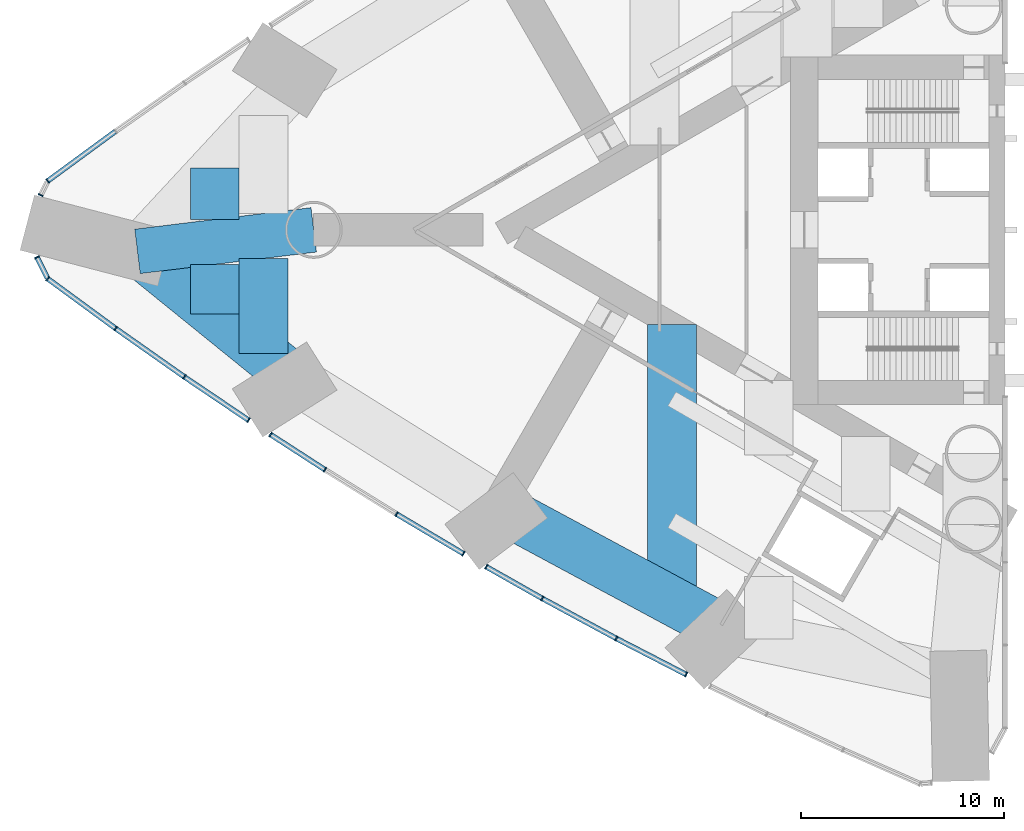
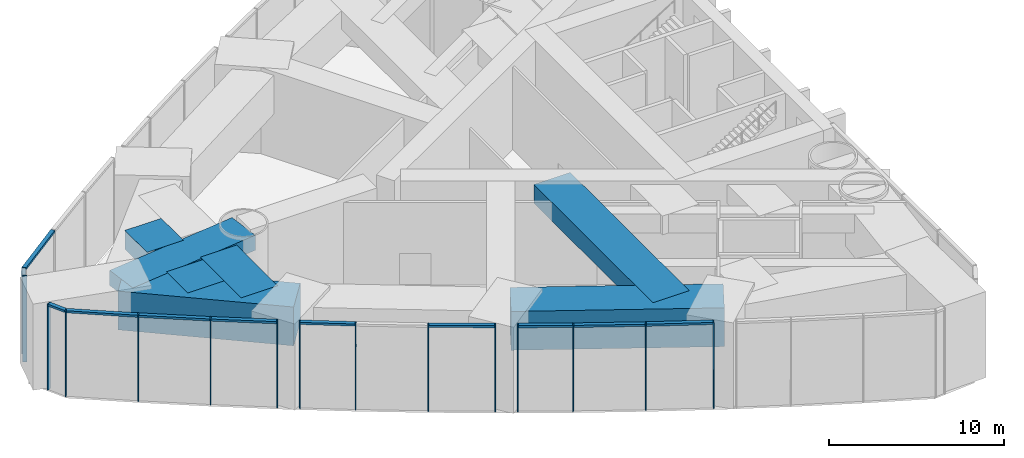
# One storey, part 2 of 18: 25 members, 7 beams, 4 elements without a shape of their own.
"""IFC4 building model written with IfcOpenShell, lengths in metres."""

import ifcopenshell
import ifcopenshell.guid

model = None  # the IFC model being written
_history = None  # IfcOwnerHistory: only IFC2X3 demands one
_inside = {}  # id of a spatial element -> (the spatial element, [elements in it])
_under = {}  # id of a project, library or spatial element -> (it, [spatial elements below it])
_declared = {}  # id of a project -> (the project, [libraries it declares])
_typed = {}  # id of a type object -> (the type object, [elements of that type])
_made_of = {}  # id of a material, layer set ... -> (it, [elements and type objects made of it])


def new_model(schema):
    """Start an empty IFC model of exactly this schema.

    Asked for "IFC4X3", IfcOpenShell would pick the latest addendum, in which some entities
    have other attributes; the version numbers below select the first issue.
    IFC2X3 requires an IfcOwnerHistory on every rooted entity: one is made here for all.
    """
    global model, _history
    if schema == "IFC4X3":
        model = ifcopenshell.file(schema_version=(4, 3, 0, 0))
    else:
        model = ifcopenshell.file(schema=schema)
    _inside.clear()
    _under.clear()
    _declared.clear()
    _typed.clear()
    _made_of.clear()
    _history = None
    if model.schema == "IFC2X3":
        org = make("IfcOrganization", Name="unknown")
        user = make(
            "IfcPersonAndOrganization",
            ThePerson=make("IfcPerson", FamilyName="unknown"),
            TheOrganization=org,
        )
        app = make(
            "IfcApplication",
            ApplicationDeveloper=org,
            Version="unknown",
            ApplicationFullName="unknown",
            ApplicationIdentifier="unknown",
        )
        _history = make(
            "IfcOwnerHistory",
            OwningUser=user,
            OwningApplication=app,
            ChangeAction="ADDED",
            CreationDate=0,
        )
    return model


def make(cls, **values):
    """One entity of the class cls with the attributes given. An attribute that is None is left unset."""
    return model.create_entity(
        cls, **{name: value for name, value in values.items() if value is not None}
    )


def rooted(cls, **values):
    """An entity with a GlobalId (a new one), such as an element, a storey or a relation."""
    return make(cls, GlobalId=ifcopenshell.guid.new(), OwnerHistory=_history, **values)


def si_unit(unit_type, name, prefix=None):
    """IfcSIUnit, for example si_unit("LENGTHUNIT", "METRE", prefix="MILLI")."""
    return make("IfcSIUnit", UnitType=unit_type, Prefix=prefix, Name=name)


def assignment(units):
    """IfcUnitAssignment: the units of a project."""
    return None if units is None else make("IfcUnitAssignment", Units=units)


def point(xyz):
    """IfcCartesianPoint."""
    return None if xyz is None else make("IfcCartesianPoint", Coordinates=xyz)


def direction(xyz):
    """IfcDirection."""
    return None if xyz is None else make("IfcDirection", DirectionRatios=xyz)


def frame(location, z_axis=None, x_axis=None):
    """IfcAxis2Placement3D, a coordinate frame: its origin and axes. An axis left out is left unset."""
    return make(
        "IfcAxis2Placement3D",
        Location=point(location),
        Axis=direction(z_axis),
        RefDirection=direction(x_axis),
    )


def frame_2d(location, x_axis=None):
    """IfcAxis2Placement2D, a coordinate frame in the plane: its origin and x axis."""
    return make(
        "IfcAxis2Placement2D", Location=point(location), RefDirection=direction(x_axis)
    )


def origin():
    """The frame at (0, 0, 0) with its axes left unset."""
    return frame((0.0, 0.0, 0.0))


def origin_2d():
    """The frame at (0, 0) in the plane with its x axis left unset."""
    return frame_2d((0.0, 0.0))


def place(relative_to, where):
    """IfcLocalPlacement: puts the frame where relative to a parent placement (None: the world)."""
    return make(
        "IfcLocalPlacement", PlacementRelTo=relative_to, RelativePlacement=where
    )


def context(
    kind, dimensions, precision=None, world=None, true_north=None, identifier=None
):
    """IfcGeometricRepresentationContext, for example the 3D "Model" context."""
    return make(
        "IfcGeometricRepresentationContext",
        ContextIdentifier=identifier,
        ContextType=kind,
        CoordinateSpaceDimension=dimensions,
        Precision=precision,
        WorldCoordinateSystem=world,
        TrueNorth=true_north,
    )


def subcontext(parent, identifier, kind, view, scale=None):
    """IfcGeometricRepresentationSubContext, for example "Body" below "Model"."""
    return make(
        "IfcGeometricRepresentationSubContext",
        ContextIdentifier=identifier,
        ContextType=kind,
        ParentContext=parent,
        TargetScale=scale,
        TargetView=view,
    )


def project(units=None, contexts=None):
    """IfcProject with its units and contexts."""
    return rooted(
        "IfcProject",
        Name="project",
        RepresentationContexts=contexts,
        UnitsInContext=assignment(units),
    )


def spatial(cls, under=None, at=None, **own):
    """A site, building, storey or space (cls), placed at a placement, below another one or the project."""
    s = rooted(cls, ObjectPlacement=at, **own)
    if under is not None:
        _under.setdefault(under.id(), (under, []))[1].append(s)
    return s


def profile(cls, at=None, kind="AREA", **sizes):
    """A parametric profile (cls). Its sizes go by their IFC names, for example OverallWidth=200.0."""
    return make(cls, ProfileType=kind, Position=at, **sizes)


def rectangle(**sizes):
    """IfcRectangleProfileDef."""
    return profile("IfcRectangleProfileDef", **sizes)


def extrude(swept, where, along, depth):
    """IfcExtrudedAreaSolid: the profile swept, set in the frame where, extruded along a direction by depth."""
    return make(
        "IfcExtrudedAreaSolid",
        SweptArea=swept,
        Position=where,
        ExtrudedDirection=direction(along),
        Depth=depth,
    )


def shape(context_of_items, identifier, shape_type, items):
    """IfcShapeRepresentation: the items that make up one representation, for example the "Body"."""
    return make(
        "IfcShapeRepresentation",
        ContextOfItems=context_of_items,
        RepresentationIdentifier=identifier,
        RepresentationType=shape_type,
        Items=items,
    )


def material(Name=None, Category=None):
    """IfcMaterial."""
    return make("IfcMaterial", Name=Name, Category=Category)


def material_profile(
    of_material, cross_section, Name=None, Category=None, Priority=None
):
    """IfcMaterialProfile: a cross section and its material."""
    return make(
        "IfcMaterialProfile",
        Name=Name,
        Material=of_material,
        Profile=cross_section,
        Priority=Priority,
        Category=Category,
    )


def profile_set(profiles, Name=None, composite=None):
    """IfcMaterialProfileSet."""
    return make(
        "IfcMaterialProfileSet",
        Name=Name,
        MaterialProfiles=profiles,
        CompositeProfile=composite,
    )


def made_of(thing, what):
    """Note that an element or type object is made of a material, layer set ...; save() writes the relation."""
    if what is not None:
        _made_of.setdefault(what.id(), (what, []))[1].append(thing)
    return thing


def type_object(cls, material=None, **own):
    """A type object (cls), such as IfcWallType, which elements share."""
    return made_of(rooted(cls, **own), material)


def element(
    cls,
    number,
    at=None,
    inside=None,
    cuts=None,
    type_object=None,
    material=None,
    context=None,
    identifier="Body",
    shape_type=None,
    held_by="IfcProductDefinitionShape",
    body=None,
    shapes=None,
    **own,
):
    """One element of the class cls, such as IfcWall. Its Tag is "e" and its number.

    at: its placement. inside: the storey or other place that contains it. cuts: it is an
    opening in that element (IfcRelVoidsElement). A single representation is given by context,
    identifier, shape_type and body (its items); several are given by shapes. held_by: the class
    of the entity that holds the representations. save() writes the other relations.
    """
    e = rooted(cls, Tag="e%d" % number, ObjectPlacement=at, **own)
    if body is not None:
        shapes = [shape(context, identifier, shape_type, body)]
    if shapes is not None:
        e.Representation = make(held_by, Representations=shapes)
    if inside is not None:
        _inside.setdefault(inside.id(), (inside, []))[1].append(e)
    if cuts is not None:
        rooted(
            "IfcRelVoidsElement", RelatingBuildingElement=cuts, RelatedOpeningElement=e
        )
    if type_object is not None:
        _typed.setdefault(type_object.id(), (type_object, []))[1].append(e)
    return made_of(e, material)


def aggregate(whole, parts):
    """IfcRelAggregates: a whole, such as a stair, and the parts it consists of."""
    return rooted("IfcRelAggregates", RelatingObject=whole, RelatedObjects=parts)


def save(model, path):
    """Write the relations noted so far, then the file.

    IfcRelAggregates (storeys below a building ...), IfcRelContainedInSpatialStructure (elements
    in a storey), IfcRelDefinesByType, IfcRelAssociatesMaterial and IfcRelDeclares: one each for
    every whole, place, type object, material and project.
    """
    for whole, parts in _under.values():
        aggregate(whole, parts)
    for where, things in _inside.values():
        rooted(
            "IfcRelContainedInSpatialStructure",
            RelatedElements=things,
            RelatingStructure=where,
        )
    for kind, things in _typed.values():
        rooted("IfcRelDefinesByType", RelatedObjects=things, RelatingType=kind)
    for what, things in _made_of.values():
        rooted("IfcRelAssociatesMaterial", RelatedObjects=things, RelatingMaterial=what)
    for by, libraries in _declared.values():
        rooted("IfcRelDeclares", RelatingContext=by, RelatedDefinitions=libraries)
    model.write(path)


model = new_model("IFC4")

# Units and contexts
model_context = context("Model", 3, precision=1e-05, world=origin(), true_north=direction((0.0, 1.0)))
body_context = subcontext(model_context, "Body", "Model", "MODEL_VIEW")
ifc_project = project(units=[si_unit("LENGTHUNIT", "METRE"), si_unit("AREAUNIT", "SQUARE_METRE"), si_unit("VOLUMEUNIT", "CUBIC_METRE"), si_unit("PLANEANGLEUNIT", "RADIAN"), si_unit("MASSUNIT", "GRAM", prefix="KILO")], contexts=[model_context])

# Site, building, storey
site_placement = place(None, origin())
site = spatial("IfcSite", under=ifc_project, at=site_placement, CompositionType="ELEMENT")
building_placement = place(site_placement, origin())
building = spatial("IfcBuilding", under=site, at=building_placement, Name="Lancet Gate Hotel", CompositionType="ELEMENT")
storey_placement = place(building_placement, frame((0.0, 0.0, 81.0)))
storey = spatial("IfcBuildingStorey", under=building, at=storey_placement, Name="L21", CompositionType="ELEMENT", Elevation=81.0)

# Curtain wall, members
ifc_material_1 = material(Name="Aluminium curtain wall", Category="aluminium")
curtain_wall_type = type_object("IfcCurtainWallType", Name="Refuge storey louvred curtain wall", PredefinedType="USERDEFINED", material=ifc_material_1)
curtain_wall_1_placement = place(storey_placement, origin())
curtain_wall_1 = element("IfcCurtainWall", 1, at=curtain_wall_1_placement, inside=storey, type_object=curtain_wall_type, Name="T1 L21 curtain wall 5", ObjectType="LANTERN GLAZING", PredefinedType="USERDEFINED")
ifc_material_2 = material(Name="Aluminium mullion", Category="aluminium")
ifc_material_profile_1 = material_profile(ifc_material_2, rectangle(XDim=0.06494140625, YDim=0.25, at=origin_2d()), Name="MULLION 65x250")
ifc_profile_set_1 = profile_set([ifc_material_profile_1], Name="Aluminium mullion")
member_type_1 = type_object("IfcMemberType", Name="Aluminium mullion 65x250", PredefinedType="MULLION", material=ifc_profile_set_1)
member_1_placement = place(storey_placement, frame((-74.5830078125, 2.401611328125, 0.0), z_axis=(0.0, 0.0, 1.0), x_axis=(-0.76102176567, -0.64872634614, 0.0)))
member_1 = element("IfcMember", 2, at=member_1_placement, type_object=member_type_1, Name="T1 L21 curtain wall 5 mullion 4", PredefinedType="MULLION", context=body_context, shape_type="SweptSolid", body=[
    extrude(rectangle(XDim=0.06494140625, YDim=0.25, at=origin_2d()), origin(), (0.0, 0.0, 1.0), 6.0),
])
member_2_placement = place(storey_placement, frame((-74.93017578125, 1.708251953125, 0.0), z_axis=(0.0, 0.0, 1.0), x_axis=(-0.447628324726, -0.89421970617, 0.0)))
member_2 = element("IfcMember", 3, at=member_2_placement, type_object=member_type_1, Name="T1 L21 curtain wall 5 mullion 5", PredefinedType="MULLION", context=body_context, shape_type="SweptSolid", body=[
    extrude(rectangle(XDim=0.06494140625, YDim=0.25, at=origin_2d()), origin(), (0.0, 0.0, 1.0), 6.0),
])

curtain_wall_2_placement = place(storey_placement, origin())
curtain_wall_2 = element("IfcCurtainWall", 4, at=curtain_wall_2_placement, inside=storey, type_object=curtain_wall_type, Name="T1 L21 curtain wall 6", ObjectType="LANTERN GLAZING", PredefinedType="USERDEFINED")
member_3_placement = place(storey_placement, frame((-75.109375, -1.349853515625, 0.0), z_axis=(0.0, 0.0, 1.0), x_axis=(0.447628324726, -0.89421970617, 0.0)))
member_3 = element("IfcMember", 5, at=member_3_placement, type_object=member_type_1, Name="T1 L21 curtain wall 6 mullion 1", PredefinedType="MULLION", context=body_context, shape_type="SweptSolid", body=[
    extrude(rectangle(XDim=0.06494140625, YDim=0.25, at=origin_2d()), origin(), (0.0, 0.0, 1.0), 6.0),
])
member_4_placement = place(storey_placement, frame((-74.5830078125, -2.401611328125, 0.0), z_axis=(0.0, 0.0, 1.0), x_axis=(0.741231716249, -0.671249240466, 0.0)))
member_4 = element("IfcMember", 6, at=member_4_placement, type_object=member_type_1, Name="T1 L21 curtain wall 6 mullion 2", PredefinedType="MULLION", context=body_context, shape_type="SweptSolid", body=[
    extrude(rectangle(XDim=0.06494140625, YDim=0.25, at=origin_2d()), origin(), (0.0, 0.0, 1.0), 6.0),
])
member_5_placement = place(storey_placement, frame((-71.244384765625, -4.85009765625, 0.0), z_axis=(0.0, 0.0, 1.0), x_axis=(0.812146623168, -0.583453393578, 0.0)))
member_5 = element("IfcMember", 7, at=member_5_placement, type_object=member_type_1, Name="T1 L21 curtain wall 6 mullion 3", PredefinedType="MULLION", context=body_context, shape_type="SweptSolid", body=[
    extrude(rectangle(XDim=0.06494140625, YDim=0.25, at=origin_2d()), origin(), (0.0, 0.0, 1.0), 6.0),
])
member_6_placement = place(storey_placement, frame((-67.858154296875, -7.232666015625, 0.0), z_axis=(0.0, 0.0, 1.0), x_axis=(0.823190540814, -0.567765209848, 0.0)))
member_6 = element("IfcMember", 8, at=member_6_placement, type_object=member_type_1, Name="T1 L21 curtain wall 6 mullion 4", PredefinedType="MULLION", context=body_context, shape_type="SweptSolid", body=[
    extrude(rectangle(XDim=0.06494140625, YDim=0.25, at=origin_2d()), origin(), (0.0, 0.0, 1.0), 6.0),
])
member_7_placement = place(storey_placement, frame((-64.7041015625, -9.361083984375, 0.0), z_axis=(0.0, 0.0, 1.0), x_axis=(0.828946067803, -0.559328540907, 0.0)))
member_7 = element("IfcMember", 9, at=member_7_placement, type_object=member_type_1, Name="T1 L21 curtain wall 6 mullion 5", PredefinedType="MULLION", context=body_context, shape_type="SweptSolid", body=[
    extrude(rectangle(XDim=0.06494140625, YDim=0.25, at=origin_2d()), origin(), (0.0, 0.0, 1.0), 6.0),
])

curtain_wall_3_placement = place(storey_placement, origin())
curtain_wall_3 = element("IfcCurtainWall", 10, at=curtain_wall_3_placement, inside=storey, type_object=curtain_wall_type, Name="T1 L21 curtain wall 7", ObjectType="LANTERN GLAZING", PredefinedType="USERDEFINED")
member_8_placement = place(storey_placement, frame((-63.62646484375, -10.065673828125, 0.0), z_axis=(0.0, 0.0, 1.0), x_axis=(0.839748568448, -0.54297545229, 0.0)))
member_8 = element("IfcMember", 11, at=member_8_placement, type_object=member_type_1, Name="T1 L21 curtain wall 7 mullion 1", PredefinedType="MULLION", context=body_context, shape_type="SweptSolid", body=[
    extrude(rectangle(XDim=0.06494140625, YDim=0.25, at=origin_2d()), origin(), (0.0, 0.0, 1.0), 6.0),
])
member_9_placement = place(storey_placement, frame((-60.949462890625, -11.796630859375, 0.0), z_axis=(0.0, 0.0, 1.0), x_axis=(0.845709326915, -0.533643827256, 0.0)))
member_9 = element("IfcMember", 12, at=member_9_placement, type_object=member_type_1, Name="T1 L21 curtain wall 7 mullion 2", PredefinedType="MULLION", context=body_context, shape_type="SweptSolid", body=[
    extrude(rectangle(XDim=0.06494140625, YDim=0.25, at=origin_2d()), origin(), (0.0, 0.0, 1.0), 6.0),
])
member_10_placement = place(storey_placement, frame((-57.42919921875, -13.97607421875, 0.0), z_axis=(0.0, 0.0, 1.0), x_axis=(0.855144689417, -0.51838939048, 0.0)))
member_10 = element("IfcMember", 13, at=member_10_placement, type_object=member_type_1, Name="T1 L21 curtain wall 7 mullion 3", PredefinedType="MULLION", context=body_context, shape_type="SweptSolid", body=[
    extrude(rectangle(XDim=0.06494140625, YDim=0.25, at=origin_2d()), origin(), (0.0, 0.0, 1.0), 6.0),
])
member_11_placement = place(storey_placement, frame((-54.138916015625, -15.925048828125, 0.0), z_axis=(0.0, 0.0, 1.0), x_axis=(0.860381857795, -0.509649937484, 0.0)))
member_11 = element("IfcMember", 14, at=member_11_placement, type_object=member_type_1, Name="T1 L21 curtain wall 7 mullion 4", PredefinedType="MULLION", context=body_context, shape_type="SweptSolid", body=[
    extrude(rectangle(XDim=0.06494140625, YDim=0.25, at=origin_2d()), origin(), (0.0, 0.0, 1.0), 6.0),
])

curtain_wall_4_placement = place(storey_placement, origin())
curtain_wall_4 = element("IfcCurtainWall", 15, at=curtain_wall_4_placement, inside=storey, type_object=curtain_wall_type, Name="T1 L21 curtain wall 8", ObjectType="LANTERN GLAZING", PredefinedType="USERDEFINED")
member_12_placement = place(storey_placement, frame((-53.0166015625, -16.567626953125, 0.0), z_axis=(0.0, 0.0, 1.0), x_axis=(0.870204720871, -0.492690312238, 0.0)))
member_12 = element("IfcMember", 16, at=member_12_placement, type_object=member_type_1, Name="T1 L21 curtain wall 8 mullion 1", PredefinedType="MULLION", context=body_context, shape_type="SweptSolid", body=[
    extrude(rectangle(XDim=0.06494140625, YDim=0.25, at=origin_2d()), origin(), (0.0, 0.0, 1.0), 6.0),
])
member_13_placement = place(storey_placement, frame((-50.26416015625, -18.1259765625, 0.0), z_axis=(0.0, 0.0, 1.0), x_axis=(0.875625106041, -0.482991380534, 0.0)))
member_13 = element("IfcMember", 17, at=member_13_placement, type_object=member_type_1, Name="T1 L21 curtain wall 8 mullion 2", PredefinedType="MULLION", context=body_context, shape_type="SweptSolid", body=[
    extrude(rectangle(XDim=0.06494140625, YDim=0.25, at=origin_2d()), origin(), (0.0, 0.0, 1.0), 6.0),
])
member_14_placement = place(storey_placement, frame((-46.6220703125, -20.094970703125, 0.0), z_axis=(0.0, 0.0, 1.0), x_axis=(0.884152609717, -0.467198204974, 0.0)))
member_14 = element("IfcMember", 18, at=member_14_placement, type_object=member_type_1, Name="T1 L21 curtain wall 8 mullion 3", PredefinedType="MULLION", context=body_context, shape_type="SweptSolid", body=[
    extrude(rectangle(XDim=0.06494140625, YDim=0.25, at=origin_2d()), origin(), (0.0, 0.0, 1.0), 6.0),
])
member_15_placement = place(storey_placement, frame((-43.188232421875, -21.864990234375, 0.0), z_axis=(0.0, 0.0, 1.0), x_axis=(0.888844019644, -0.458209895946, 0.0)))
member_15 = element("IfcMember", 19, at=member_15_placement, type_object=member_type_1, Name="T1 L21 curtain wall 8 mullion 4", PredefinedType="MULLION", context=body_context, shape_type="SweptSolid", body=[
    extrude(rectangle(XDim=0.06494140625, YDim=0.25, at=origin_2d()), origin(), (0.0, 0.0, 1.0), 6.0),
])

# Member
ifc_material_3 = material(Name="Aluminium transom", Category="aluminium")
ifc_material_profile_2 = material_profile(ifc_material_3, rectangle(XDim=0.25, YDim=0.14990234375, at=origin_2d()), Name="TRANSOM 250x150")
ifc_profile_set_2 = profile_set([ifc_material_profile_2], Name="Aluminium transom")
member_type_2 = type_object("IfcMemberType", Name="Aluminium transom 250x150", PredefinedType="USERDEFINED", material=ifc_profile_set_2)
member_16_placement = place(storey_placement, frame((-71.2705078125, 4.8310546875, 5.925048828125), z_axis=(-0.806366902144, -0.59141560609, 0.0), x_axis=(0.59141560609, -0.806366902144, 0.0)))
member_16 = element("IfcMember", 20, at=member_16_placement, type_object=member_type_2, Name="T1 L21 curtain wall 5 transom 3", ObjectType="TRANSOM", PredefinedType="USERDEFINED", context=body_context, shape_type="SweptSolid", body=[
    extrude(rectangle(XDim=0.25, YDim=0.14990234375, at=origin_2d()), origin(), (0.0, 0.0, 1.0), 4.0751953125),
])

aggregate(curtain_wall_1, [member_1, member_2, member_16])

member_17_placement = place(storey_placement, frame((-75.094970703125, -1.37890625, 5.925048828125), z_axis=(0.447740788594, -0.894163400185, 0.0), x_axis=(0.894163400185, 0.447740788594, 0.0)))
member_17 = element("IfcMember", 21, at=member_17_placement, type_object=member_type_2, Name="T1 L21 curtain wall 6 transom 1", ObjectType="TRANSOM", PredefinedType="USERDEFINED", context=body_context, shape_type="SweptSolid", body=[
    extrude(rectangle(XDim=0.25, YDim=0.14990234375, at=origin_2d()), origin(), (0.0, 0.0, 1.0), 1.111328125),
])

member_18_placement = place(storey_placement, frame((-74.556640625, -2.4208984375, 5.925048828125), z_axis=(0.806366902144, -0.59141560609, 0.0), x_axis=(0.59141560609, 0.806366902144, 0.0)))
member_18 = element("IfcMember", 22, at=member_18_placement, type_object=member_type_2, Name="T1 L21 curtain wall 6 transom 2", ObjectType="TRANSOM", PredefinedType="USERDEFINED", context=body_context, shape_type="SweptSolid", body=[
    extrude(rectangle(XDim=0.25, YDim=0.14990234375, at=origin_2d()), origin(), (0.0, 0.0, 1.0), 4.0751953125),
])

member_19_placement = place(storey_placement, frame((-71.2177734375, -4.868896484375, 5.925048828125), z_axis=(0.817833568345, -0.57545482402, 0.0), x_axis=(0.57545482402, 0.817833568345, 0.0)))
member_19 = element("IfcMember", 23, at=member_19_placement, type_object=member_type_2, Name="T1 L21 curtain wall 6 transom 3", ObjectType="TRANSOM", PredefinedType="USERDEFINED", context=body_context, shape_type="SweptSolid", body=[
    extrude(rectangle(XDim=0.25, YDim=0.14990234375, at=origin_2d()), origin(), (0.0, 0.0, 1.0), 4.075439453125),
])

member_20_placement = place(storey_placement, frame((-67.831298828125, -7.2509765625, 5.925048828125), z_axis=(0.828934175642, -0.559346165137, 0.0), x_axis=(0.559346165137, 0.828934175642, 0.0)))
member_20 = element("IfcMember", 24, at=member_20_placement, type_object=member_type_2, Name="T1 L21 curtain wall 6 transom 4", ObjectType="TRANSOM", PredefinedType="USERDEFINED", context=body_context, shape_type="SweptSolid", body=[
    extrude(rectangle(XDim=0.25, YDim=0.14990234375, at=origin_2d()), origin(), (0.0, 0.0, 1.0), 3.740234375),
])

aggregate(curtain_wall_2, [member_3, member_4, member_5, member_6, member_7, member_17, member_18, member_19, member_20])

member_21_placement = place(storey_placement, frame((-63.599365234375, -10.083251953125, 5.925048828125), z_axis=(0.839737903766, -0.542991945593, 0.0), x_axis=(0.542991945593, 0.839737903766, 0.0)))
member_21 = element("IfcMember", 25, at=member_21_placement, type_object=member_type_2, Name="T1 L21 curtain wall 7 transom 1", ObjectType="TRANSOM", PredefinedType="USERDEFINED", context=body_context, shape_type="SweptSolid", body=[
    extrude(rectangle(XDim=0.25, YDim=0.14990234375, at=origin_2d()), origin(), (0.0, 0.0, 1.0), 3.123046875),
])

member_22_placement = place(storey_placement, frame((-57.4013671875, -13.99267578125, 5.925048828125), z_axis=(0.860395955611, -0.509626137053, 0.0), x_axis=(0.509626137053, 0.860395955611, 0.0)))
member_22 = element("IfcMember", 26, at=member_22_placement, type_object=member_type_2, Name="T1 L21 curtain wall 7 transom 3", ObjectType="TRANSOM", PredefinedType="USERDEFINED", context=body_context, shape_type="SweptSolid", body=[
    extrude(rectangle(XDim=0.25, YDim=0.14990234375, at=origin_2d()), origin(), (0.0, 0.0, 1.0), 3.75927734375),
])

aggregate(curtain_wall_3, [member_8, member_9, member_10, member_11, member_21, member_22])

member_23_placement = place(storey_placement, frame((-52.98828125, -16.583740234375, 5.925048828125), z_axis=(0.870195654923, -0.49270632445, 0.0), x_axis=(0.49270632445, 0.870195654923, 0.0)))
member_23 = element("IfcMember", 27, at=member_23_placement, type_object=member_type_2, Name="T1 L21 curtain wall 8 transom 1", ObjectType="TRANSOM", PredefinedType="USERDEFINED", context=body_context, shape_type="SweptSolid", body=[
    extrude(rectangle(XDim=0.25, YDim=0.14990234375, at=origin_2d()), origin(), (0.0, 0.0, 1.0), 3.097900390625),
])

member_24_placement = place(storey_placement, frame((-50.235595703125, -18.1416015625, 5.925048828125), z_axis=(0.87971396408, -0.475503250675, 0.0), x_axis=(0.475503250675, 0.87971396408, 0.0)))
member_24 = element("IfcMember", 28, at=member_24_placement, type_object=member_type_2, Name="T1 L21 curtain wall 8 transom 2", ObjectType="TRANSOM", PredefinedType="USERDEFINED", context=body_context, shape_type="SweptSolid", body=[
    extrude(rectangle(XDim=0.25, YDim=0.14990234375, at=origin_2d()), origin(), (0.0, 0.0, 1.0), 4.0751953125),
])

member_25_placement = place(storey_placement, frame((-46.593017578125, -20.10986328125, 5.925048828125), z_axis=(0.888843667926, -0.458210578215, 0.0), x_axis=(0.458210578215, 0.888843667926, 0.0)))
member_25 = element("IfcMember", 29, at=member_25_placement, type_object=member_type_2, Name="T1 L21 curtain wall 8 transom 3", ObjectType="TRANSOM", PredefinedType="USERDEFINED", context=body_context, shape_type="SweptSolid", body=[
    extrude(rectangle(XDim=0.25, YDim=0.14990234375, at=origin_2d()), origin(), (0.0, 0.0, 1.0), 3.7978515625),
])

aggregate(curtain_wall_4, [member_12, member_13, member_14, member_15, member_23, member_24, member_25])

# Beams
ifc_material_4 = material(Name="Concrete C50/60", Category="concrete")
ifc_material_profile_3 = material_profile(ifc_material_4, rectangle(XDim=2.39990234375, YDim=1.300048828125, at=origin_2d()), Name="RC 2400x1300")
ifc_profile_set_3 = profile_set([ifc_material_profile_3], Name="Concrete C50/60")
beam_type_1 = type_object("IfcBeamType", Name="Floor beam RC 2400x1300", PredefinedType="BEAM", material=ifc_profile_set_3)
beam_1_placement = place(storey_placement, frame((-43.891357421875, -4.663330078125, 5.10009765625), z_axis=(0.0, -1.0, 0.0), x_axis=(1.0, 0.0, 0.0)))
element("IfcBeam", 30, at=beam_1_placement, inside=storey, type_object=beam_type_1, Name="T1 floor beam F08N L21", PredefinedType="BEAM", context=body_context, shape_type="SweptSolid", body=[
    extrude(rectangle(XDim=2.39990234375, YDim=1.300048828125, at=origin_2d()), origin(), (0.0, 0.0, 1.0), 13.57763671875),
])
beam_2_placement = place(storey_placement, frame((-63.96826171875, -1.41015625, 5.10009765625), z_axis=(0.0, -1.0, 0.0), x_axis=(1.0, 0.0, 0.0)))
element("IfcBeam", 31, at=beam_2_placement, inside=storey, type_object=beam_type_1, Name="T1 floor beam F11N L21", PredefinedType="BEAM", context=body_context, shape_type="SweptSolid", body=[
    extrude(rectangle(XDim=2.39990234375, YDim=1.300048828125, at=origin_2d()), origin(), (0.0, 0.0, 1.0), 4.672119140625),
])
beam_3_placement = place(storey_placement, frame((-66.3681640625, 3.040283203125, 5.10009765625), z_axis=(0.0, -1.0, 0.0), x_axis=(1.0, 0.0, 0.0)))
element("IfcBeam", 32, at=beam_3_placement, inside=storey, type_object=beam_type_1, Name="T1 floor beam F12S L21", PredefinedType="BEAM", context=body_context, shape_type="SweptSolid", body=[
    extrude(rectangle(XDim=2.39990234375, YDim=1.300048828125, at=origin_2d()), origin(), (0.0, 0.0, 1.0), 2.52734375),
])
beam_4_placement = place(storey_placement, frame((-66.3681640625, -1.70361328125, 5.10009765625), z_axis=(0.0, -1.0, 0.0), x_axis=(1.0, 0.0, 0.0)))
element("IfcBeam", 33, at=beam_4_placement, inside=storey, type_object=beam_type_1, Name="T1 floor beam F13N L21", PredefinedType="BEAM", context=body_context, shape_type="SweptSolid", body=[
    extrude(rectangle(XDim=2.39990234375, YDim=1.300048828125, at=origin_2d()), origin(), (0.0, 0.0, 1.0), 2.4345703125),
])
ifc_material_5 = material(Name="Concrete C50/60", Category="concrete")
ifc_material_profile_4 = material_profile(ifc_material_5, rectangle(XDim=2.199951171875, YDim=1.050048828125, at=origin_2d()), Name="RC 2200x1050")
ifc_profile_set_4 = profile_set([ifc_material_profile_4], Name="Concrete C50/60")
beam_type_2 = type_object("IfcBeamType", Name="Radial floor beam RC 2200x1050", PredefinedType="BEAM", material=ifc_profile_set_4)
beam_5_placement = place(storey_placement, frame((-70.16796875, -1.06005859375, 5.22509765625), z_axis=(0.992604686929, 0.121391661521, 0.0), x_axis=(-0.121391661521, 0.992604686929, 0.0)))
element("IfcBeam", 34, at=beam_5_placement, inside=storey, type_object=beam_type_2, Name="T1 radial beam CA L21", PredefinedType="BEAM", context=body_context, shape_type="SweptSolid", body=[
    extrude(rectangle(XDim=2.199951171875, YDim=1.050048828125, at=origin_2d()), origin(), (0.0, 0.0, 1.0), 8.732666015625),
])
ifc_material_6 = material(Name="Concrete C50/60", Category="concrete")
ifc_material_profile_5 = material_profile(ifc_material_6, rectangle(XDim=2.39990234375, YDim=2.699951171875, at=origin_2d()), Name="RC 2400x2700")
ifc_profile_set_5 = profile_set([ifc_material_profile_5], Name="Concrete C50/60")
beam_type_3 = type_object("IfcBeamType", Name="Tie ring beam RC 2400x2700", PredefinedType="SPANDREL", material=ifc_profile_set_5)
beam_6_placement = place(storey_placement, frame((-70.16796875, -1.06005859375, 4.39990234375), z_axis=(0.777033503891, -0.629459239213, 0.0), x_axis=(0.629459239213, 0.777033503891, 0.0)))
element("IfcBeam", 35, at=beam_6_placement, inside=storey, type_object=beam_type_3, Name="T1 tie ring beam RG3 L21", PredefinedType="SPANDREL", context=body_context, shape_type="SweptSolid", body=[
    extrude(rectangle(XDim=2.39990234375, YDim=2.699951171875, at=origin_2d()), origin(), (0.0, 0.0, 1.0), 10.142822265625),
])
beam_7_placement = place(storey_placement, frame((-51.963134765625, -13.89501953125, 4.39990234375), z_axis=(0.880492350889, -0.474060354835, 0.0), x_axis=(0.474060354835, 0.880492350889, 0.0)))
element("IfcBeam", 36, at=beam_7_placement, inside=storey, type_object=beam_type_3, Name="T1 tie ring beam RG3 L21", PredefinedType="SPANDREL", context=body_context, shape_type="SweptSolid", body=[
    extrude(rectangle(XDim=2.39990234375, YDim=2.699951171875, at=origin_2d()), origin(), (0.0, 0.0, 1.0), 12.173095703125),
])

save(model, "model.ifc")
